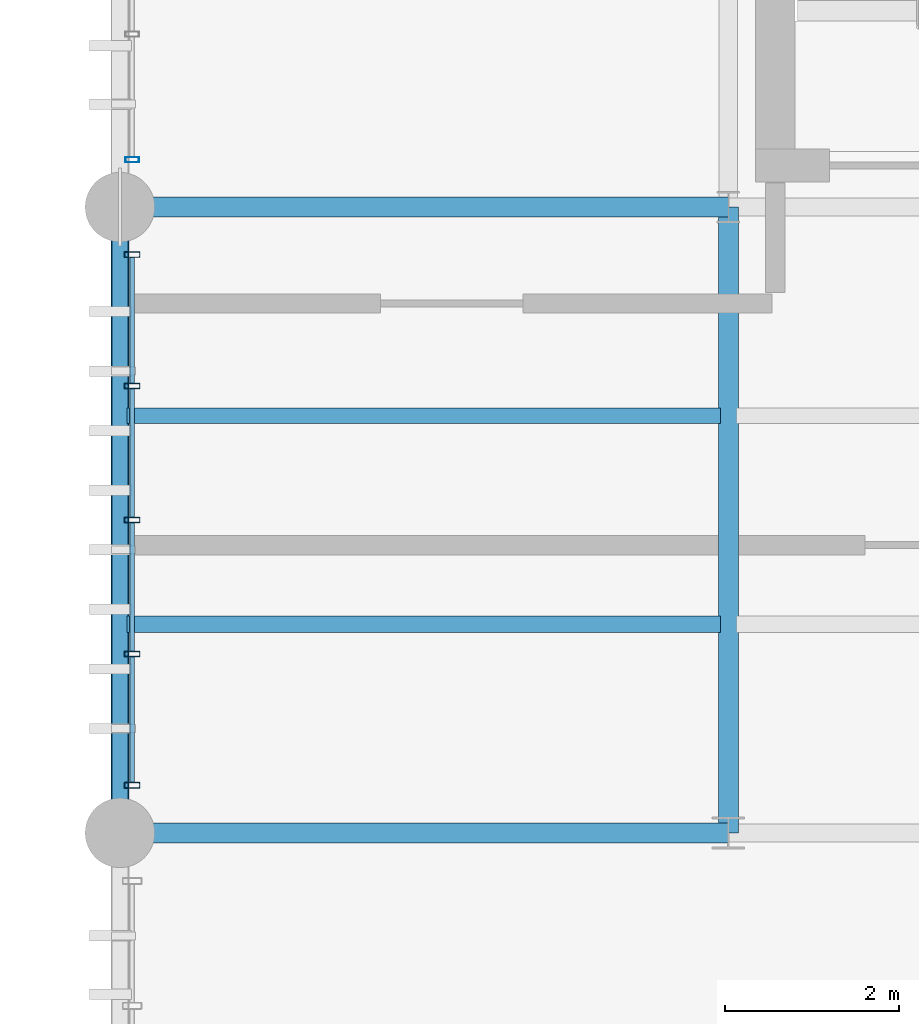
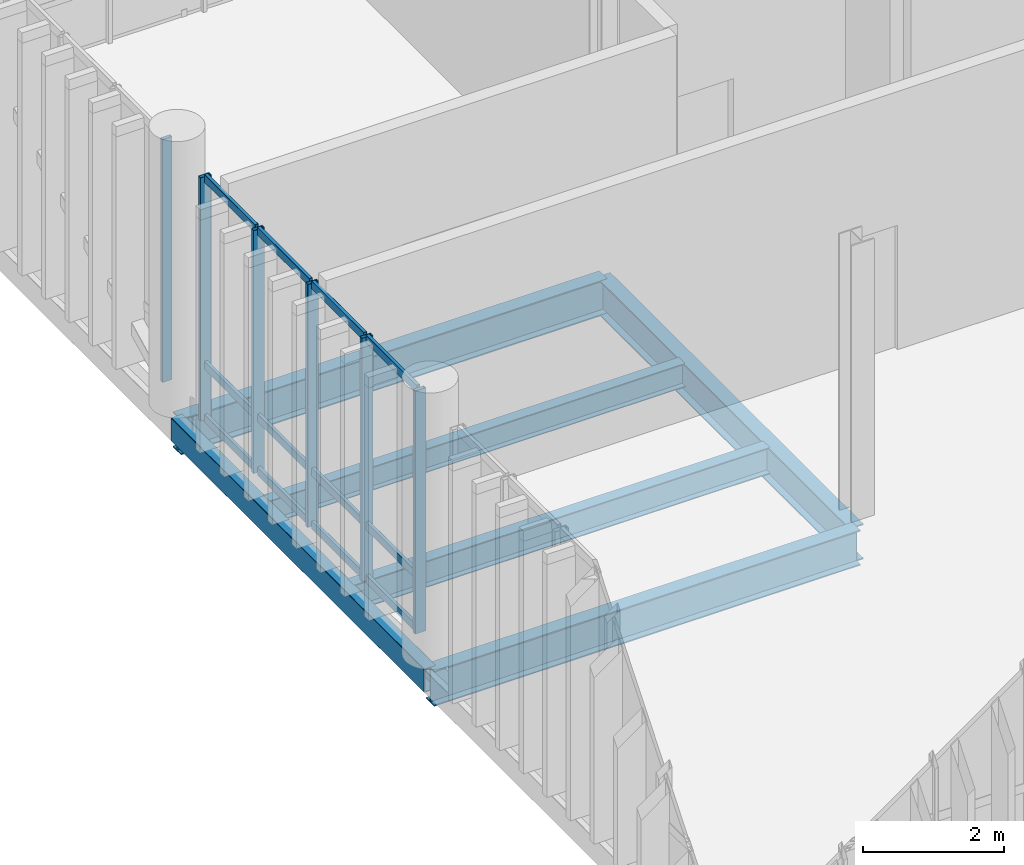
# One storey, part 20 of 94: 18 members, 6 beams, 2 elements without a shape of their own.
"""IFC4 building model written with IfcOpenShell, lengths in metres."""

from ifc_helpers import new_model, si_unit, direction, frame, origin_with_axes, origin_2d_with_axis, place, context, subcontext, project, spatial, hollow_rectangle, i_section, extrude, material, material_profile, profile_set, type_object, element, aggregate, save


model = new_model("IFC4")

# Units and contexts
model_context = context("Model", 3, precision=1e-05, world=origin_with_axes(), true_north=direction((0.0, 1.0)))
body_context = subcontext(model_context, "Body", "Model", "MODEL_VIEW")
ifc_project = project(units=[si_unit("LENGTHUNIT", "METRE"), si_unit("AREAUNIT", "SQUARE_METRE"), si_unit("VOLUMEUNIT", "CUBIC_METRE"), si_unit("PLANEANGLEUNIT", "RADIAN"), si_unit("MASSUNIT", "GRAM", prefix="KILO"), si_unit("THERMODYNAMICTEMPERATUREUNIT", "KELVIN")], contexts=[model_context])

# Site, building, storey
site_placement = place(None, origin_with_axes())
site = spatial("IfcSite", under=ifc_project, at=site_placement, CompositionType="ELEMENT")
building_placement = place(site_placement, origin_with_axes())
building = spatial("IfcBuilding", under=site, at=building_placement, Name="Montbau Bow Law Courts", CompositionType="ELEMENT")
storey_placement = place(building_placement, frame((0.0, 0.0, 15.6), z_axis=(0.0, 0.0, 1.0), x_axis=(1.0, 0.0, 0.0)))
storey = spatial("IfcBuildingStorey", under=building, at=storey_placement, Name="L03", CompositionType="ELEMENT", Elevation=15.6)

# Beams
ifc_material_1 = material(Name="Steel CSA G40.21 Grade 350W (350 MPa)", Category="steel")
ifc_material_profile_1 = material_profile(ifc_material_1, i_section(OverallWidth=0.229, OverallDepth=0.612, WebThickness=0.0119, FlangeThickness=0.0196, at=origin_2d_with_axis()), Name="W610X125", Category="Main", Priority=0)
ifc_profile_set_1 = profile_set([ifc_material_profile_1], Name="Steel CSA G40.21 Grade 350W (350 MPa)")
beam_type_1 = type_object("IfcBeamType", Name="B-FLR-05", PredefinedType="BEAM", material=ifc_profile_set_1)
for number, where, z_axis, x_axis, name in (
    (1, (6.8, 39.0, 15.054), (1.0, 0.0, 0.0), (0.0, 1.0, 0.0), "BM-L03-S0586:bm2_0589"),
    (2, (6.8, 46.2, 15.054), (1.0, 0.0, 0.0), (0.0, 1.0, 0.0), "BM-L03-S0591:bm2_0594"),
):
    element("IfcBeam", number, at=place(None, frame(where, z_axis=z_axis, x_axis=x_axis)), inside=storey, type_object=beam_type_1, Name=name, PredefinedType="BEAM", context=body_context, shape_type="SweptSolid", body=[
        extrude(i_section(OverallWidth=0.229, OverallDepth=0.612, WebThickness=0.0119, FlangeThickness=0.0196, at=origin_2d_with_axis()), origin_with_axes(), (0.0, 0.0, 1.0), 7.0),
    ])
beam_1_placement = place(None, frame((13.8, 39.0, 15.054), z_axis=(0.0, 1.0, 0.0), x_axis=(-1.0, 0.0, 0.0)))
element("IfcBeam", 3, at=beam_1_placement, inside=storey, type_object=beam_type_1, Name="BM-L03-S0604:bm2_0607", PredefinedType="BEAM", context=body_context, shape_type="SweptSolid", body=[
    extrude(i_section(OverallWidth=0.229, OverallDepth=0.612, WebThickness=0.0119, FlangeThickness=0.0196, at=origin_2d_with_axis()), origin_with_axes(), (0.0, 0.0, 1.0), 7.2),
])
ifc_material_profile_2 = material_profile(ifc_material_1, i_section(OverallWidth=0.191, OverallDepth=0.46, WebThickness=0.0099, FlangeThickness=0.016, at=origin_2d_with_axis()), Name="W460X82", Category="Main", Priority=0)
ifc_profile_set_2 = profile_set([ifc_material_profile_2], Name="Steel CSA G40.21 Grade 350W (350 MPa)")
beam_type_2 = type_object("IfcBeamType", Name="B-JST-01", PredefinedType="JOIST", material=ifc_profile_set_2)
beam_2_placement = place(None, frame((6.88, 41.4, 15.13), z_axis=(1.0, 0.0, 0.0), x_axis=(0.0, 1.0, 0.0)))
element("IfcBeam", 4, at=beam_2_placement, inside=storey, type_object=beam_type_2, Name="JST-L03-S0284:jst2_0284", PredefinedType="JOIST", context=body_context, shape_type="SweptSolid", body=[
    extrude(i_section(OverallWidth=0.191, OverallDepth=0.46, WebThickness=0.0099, FlangeThickness=0.016, at=origin_2d_with_axis()), origin_with_axes(), (0.0, 0.0, 1.0), 6.83),
])
ifc_material_profile_3 = material_profile(ifc_material_1, i_section(OverallWidth=0.179, OverallDepth=0.41, WebThickness=0.0088, FlangeThickness=0.0144, at=origin_2d_with_axis()), Name="W410X67", Category="Main", Priority=0)
ifc_profile_set_3 = profile_set([ifc_material_profile_3], Name="Steel CSA G40.21 Grade 350W (350 MPa)")
beam_type_3 = type_object("IfcBeamType", Name="B-JST-02", PredefinedType="JOIST", material=ifc_profile_set_3)
beam_3_placement = place(None, frame((6.88, 43.8, 15.155), z_axis=(1.0, 0.0, 0.0), x_axis=(0.0, 1.0, 0.0)))
element("IfcBeam", 5, at=beam_3_placement, inside=storey, type_object=beam_type_3, Name="JST-L03-S0285:jst2_0285", PredefinedType="JOIST", context=body_context, shape_type="SweptSolid", body=[
    extrude(i_section(OverallWidth=0.179, OverallDepth=0.41, WebThickness=0.0088, FlangeThickness=0.0144, at=origin_2d_with_axis()), origin_with_axes(), (0.0, 0.0, 1.0), 6.83),
])
ifc_material_2 = material(Name="Steel CSA G40.21 Grade 350WT (350 MPa)", Category="steel")
ifc_material_profile_4 = material_profile(ifc_material_2, hollow_rectangle(XDim=0.203, YDim=0.406, WallThickness=0.0127, InnerFilletRadius=0.0254, OuterFilletRadius=0.0127, at=origin_2d_with_axis()), Name="HSS406X203X13", Category="Main", Priority=0)
ifc_profile_set_4 = profile_set([ifc_material_profile_4], Name="Steel CSA G40.21 Grade 350WT (350 MPa)")
beam_type_4 = type_object("IfcBeamType", Name="B-SPN-01", PredefinedType="SPANDREL", material=ifc_profile_set_4)
beam_4_placement = place(None, frame((6.8, 39.0, 15.157), z_axis=(0.0, 1.0, 0.0), x_axis=(-1.0, 0.0, 0.0)))
element("IfcBeam", 6, at=beam_4_placement, inside=storey, type_object=beam_type_4, Name="SPN-L03-S0602:bm2_0605", PredefinedType="SPANDREL", context=body_context, shape_type="SweptSolid", body=[
    extrude(hollow_rectangle(XDim=0.203, YDim=0.406, WallThickness=0.0127, InnerFilletRadius=0.0254, OuterFilletRadius=0.0127, at=origin_2d_with_axis()), origin_with_axes(), (0.0, 0.0, 1.0), 7.2),
])

# Curtain wall, members
ifc_material_3 = material(Name="Thermally Broken Extruded Aluminium AA 6063-T6", Category="aluminium")
curtain_wall_type = type_object("IfcCurtainWallType", Name="CW-TRC-01", PredefinedType="NOTDEFINED", material=ifc_material_3)
curtain_wall_1_placement = place(None, frame((6.94, 39.515, 15.6), z_axis=(0.0, 0.0, 1.0), x_axis=(1.0, 0.0, 0.0)))
curtain_wall_1 = element("IfcCurtainWall", 7, at=curtain_wall_1_placement, inside=storey, type_object=curtain_wall_type, Name="CW-L03-061:cw_0061", PredefinedType="NOTDEFINED")
ifc_material_profile_5 = material_profile(ifc_material_3, hollow_rectangle(XDim=0.065, YDim=0.18, WallThickness=0.005, InnerFilletRadius=0.01, OuterFilletRadius=0.005, at=origin_2d_with_axis()), Name="CWM-180X65", Category="Main", Priority=0)
ifc_profile_set_5 = profile_set([ifc_material_profile_5], Name="Thermally Broken Extruded Aluminium AA 6063-T6")
member_type_1 = type_object("IfcMemberType", Name="M-MUL-02", PredefinedType="MULLION", material=ifc_profile_set_5)
member_1_placement = place(None, frame((6.94, 39.548, 15.6), z_axis=(0.0, 0.0, 1.0), x_axis=(0.0, 1.0, 0.0)))
member_1 = element("IfcMember", 8, at=member_1_placement, type_object=member_type_1, Name="CW-L03-061-M01:cw_0061_M01", PredefinedType="MULLION", context=body_context, shape_type="SweptSolid", body=[
    extrude(hollow_rectangle(XDim=0.065, YDim=0.18, WallThickness=0.005, InnerFilletRadius=0.01, OuterFilletRadius=0.005, at=origin_2d_with_axis()), origin_with_axes(), (0.0, 0.0, 1.0), 4.22),
])
member_2_placement = place(None, frame((6.94, 41.058, 15.6), z_axis=(0.0, 0.0, 1.0), x_axis=(0.0, 1.0, 0.0)))
member_2 = element("IfcMember", 9, at=member_2_placement, type_object=member_type_1, Name="CW-L03-061-M02:cw_0061_M02", PredefinedType="MULLION", context=body_context, shape_type="SweptSolid", body=[
    extrude(hollow_rectangle(XDim=0.065, YDim=0.18, WallThickness=0.005, InnerFilletRadius=0.01, OuterFilletRadius=0.005, at=origin_2d_with_axis()), origin_with_axes(), (0.0, 0.0, 1.0), 4.22),
])
member_3_placement = place(None, frame((6.94, 42.6, 15.6), z_axis=(0.0, 0.0, 1.0), x_axis=(0.0, 1.0, 0.0)))
member_3 = element("IfcMember", 10, at=member_3_placement, type_object=member_type_1, Name="CW-L03-061-M03:cw_0061_M03", PredefinedType="MULLION", context=body_context, shape_type="SweptSolid", body=[
    extrude(hollow_rectangle(XDim=0.065, YDim=0.18, WallThickness=0.005, InnerFilletRadius=0.01, OuterFilletRadius=0.005, at=origin_2d_with_axis()), origin_with_axes(), (0.0, 0.0, 1.0), 4.22),
])
member_4_placement = place(None, frame((6.94, 44.143, 15.6), z_axis=(0.0, 0.0, 1.0), x_axis=(0.0, 1.0, 0.0)))
member_4 = element("IfcMember", 11, at=member_4_placement, type_object=member_type_1, Name="CW-L03-061-M04:cw_0061_M04", PredefinedType="MULLION", context=body_context, shape_type="SweptSolid", body=[
    extrude(hollow_rectangle(XDim=0.065, YDim=0.18, WallThickness=0.005, InnerFilletRadius=0.01, OuterFilletRadius=0.005, at=origin_2d_with_axis()), origin_with_axes(), (0.0, 0.0, 1.0), 4.22),
])
member_5_placement = place(None, frame((6.94, 45.653, 15.6), z_axis=(0.0, 0.0, 1.0), x_axis=(0.0, 1.0, 0.0)))
member_5 = element("IfcMember", 12, at=member_5_placement, type_object=member_type_1, Name="CW-L03-061-M05:cw_0061_M05", PredefinedType="MULLION", context=body_context, shape_type="SweptSolid", body=[
    extrude(hollow_rectangle(XDim=0.065, YDim=0.18, WallThickness=0.005, InnerFilletRadius=0.01, OuterFilletRadius=0.005, at=origin_2d_with_axis()), origin_with_axes(), (0.0, 0.0, 1.0), 4.22),
])

# Curtain wall, member
curtain_wall_2_placement = place(None, frame((6.94, 46.715, 15.6), z_axis=(0.0, 0.0, 1.0), x_axis=(1.0, 0.0, 0.0)))
curtain_wall_2 = element("IfcCurtainWall", 13, at=curtain_wall_2_placement, inside=storey, type_object=curtain_wall_type, Name="CW-L03-062:cw_0062", PredefinedType="NOTDEFINED")
ifc_material_profile_6 = material_profile(ifc_material_3, hollow_rectangle(XDim=0.06, YDim=0.16, WallThickness=0.004, InnerFilletRadius=0.008, OuterFilletRadius=0.004, at=origin_2d_with_axis()), Name="CWM-160X60", Category="Main", Priority=0)
ifc_profile_set_6 = profile_set([ifc_material_profile_6], Name="Thermally Broken Extruded Aluminium AA 6063-T6")
member_type_2 = type_object("IfcMemberType", Name="M-MUL-03", PredefinedType="MULLION", material=ifc_profile_set_6)
member_6_placement = place(None, frame((6.94, 46.745, 15.6), z_axis=(0.0, 0.0, 1.0), x_axis=(0.0, 1.0, 0.0)))
member_6 = element("IfcMember", 14, at=member_6_placement, type_object=member_type_2, Name="CW-L03-062-M01:cw_0062_M01", PredefinedType="MULLION", context=body_context, shape_type="SweptSolid", body=[
    extrude(hollow_rectangle(XDim=0.06, YDim=0.16, WallThickness=0.004, InnerFilletRadius=0.008, OuterFilletRadius=0.004, at=origin_2d_with_axis()), origin_with_axes(), (0.0, 0.0, 1.0), 4.22),
])
aggregate(curtain_wall_2, [member_6])

# Member
ifc_material_profile_7 = material_profile(ifc_material_3, hollow_rectangle(XDim=0.055, YDim=0.14, WallThickness=0.004, InnerFilletRadius=0.008, OuterFilletRadius=0.004, at=origin_2d_with_axis()), Name="CWT-140X55", Category="Main", Priority=0)
ifc_profile_set_7 = profile_set([ifc_material_profile_7], Name="Thermally Broken Extruded Aluminium AA 6063-T6")
member_type_3 = type_object("IfcMemberType", Name="M-TRN-02", PredefinedType="USERDEFINED", material=ifc_profile_set_7)
member_7_placement = place(None, frame((6.94, 39.583, 15.627), z_axis=(0.0, 1.0, 0.0), x_axis=(-1.0, 0.0, 0.0)))
member_7 = element("IfcMember", 15, at=member_7_placement, type_object=member_type_3, Name="CW-L03-061-T01-1:cw_0061_T01_1", ObjectType="TRANSOM", PredefinedType="USERDEFINED", context=body_context, shape_type="SweptSolid", body=[
    extrude(hollow_rectangle(XDim=0.055, YDim=0.14, WallThickness=0.004, InnerFilletRadius=0.008, OuterFilletRadius=0.004, at=origin_2d_with_axis()), origin_with_axes(), (0.0, 0.0, 1.0), 1.44),
])

member_8_placement = place(None, frame((6.94, 39.583, 16.55), z_axis=(0.0, 1.0, 0.0), x_axis=(-1.0, 0.0, 0.0)))
member_8 = element("IfcMember", 16, at=member_8_placement, type_object=member_type_3, Name="CW-L03-061-T01-2:cw_0061_T01_2", ObjectType="TRANSOM", PredefinedType="USERDEFINED", context=body_context, shape_type="SweptSolid", body=[
    extrude(hollow_rectangle(XDim=0.055, YDim=0.14, WallThickness=0.004, InnerFilletRadius=0.008, OuterFilletRadius=0.004, at=origin_2d_with_axis()), origin_with_axes(), (0.0, 0.0, 1.0), 1.44),
])

member_9_placement = place(None, frame((6.94, 39.583, 19.793), z_axis=(0.0, 1.0, 0.0), x_axis=(-1.0, 0.0, 0.0)))
member_9 = element("IfcMember", 17, at=member_9_placement, type_object=member_type_3, Name="CW-L03-061-T01-3:cw_0061_T01_3", ObjectType="TRANSOM", PredefinedType="USERDEFINED", context=body_context, shape_type="SweptSolid", body=[
    extrude(hollow_rectangle(XDim=0.055, YDim=0.14, WallThickness=0.004, InnerFilletRadius=0.008, OuterFilletRadius=0.004, at=origin_2d_with_axis()), origin_with_axes(), (0.0, 0.0, 1.0), 1.44),
])

member_10_placement = place(None, frame((6.94, 41.092, 15.627), z_axis=(0.0, 1.0, 0.0), x_axis=(-1.0, 0.0, 0.0)))
member_10 = element("IfcMember", 18, at=member_10_placement, type_object=member_type_3, Name="CW-L03-061-T02-1:cw_0061_T02_1", ObjectType="TRANSOM", PredefinedType="USERDEFINED", context=body_context, shape_type="SweptSolid", body=[
    extrude(hollow_rectangle(XDim=0.055, YDim=0.14, WallThickness=0.004, InnerFilletRadius=0.008, OuterFilletRadius=0.004, at=origin_2d_with_axis()), origin_with_axes(), (0.0, 0.0, 1.0), 1.473),
])

member_11_placement = place(None, frame((6.94, 41.092, 16.55), z_axis=(0.0, 1.0, 0.0), x_axis=(-1.0, 0.0, 0.0)))
member_11 = element("IfcMember", 19, at=member_11_placement, type_object=member_type_3, Name="CW-L03-061-T02-2:cw_0061_T02_2", ObjectType="TRANSOM", PredefinedType="USERDEFINED", context=body_context, shape_type="SweptSolid", body=[
    extrude(hollow_rectangle(XDim=0.055, YDim=0.14, WallThickness=0.004, InnerFilletRadius=0.008, OuterFilletRadius=0.004, at=origin_2d_with_axis()), origin_with_axes(), (0.0, 0.0, 1.0), 1.473),
])

member_12_placement = place(None, frame((6.94, 41.092, 19.793), z_axis=(0.0, 1.0, 0.0), x_axis=(-1.0, 0.0, 0.0)))
member_12 = element("IfcMember", 20, at=member_12_placement, type_object=member_type_3, Name="CW-L03-061-T02-3:cw_0061_T02_3", ObjectType="TRANSOM", PredefinedType="USERDEFINED", context=body_context, shape_type="SweptSolid", body=[
    extrude(hollow_rectangle(XDim=0.055, YDim=0.14, WallThickness=0.004, InnerFilletRadius=0.008, OuterFilletRadius=0.004, at=origin_2d_with_axis()), origin_with_axes(), (0.0, 0.0, 1.0), 1.473),
])

member_13_placement = place(None, frame((6.94, 42.634, 15.627), z_axis=(0.0, 1.0, 0.0), x_axis=(-1.0, 0.0, 0.0)))
member_13 = element("IfcMember", 21, at=member_13_placement, type_object=member_type_3, Name="CW-L03-061-T03-1:cw_0061_T03_1", ObjectType="TRANSOM", PredefinedType="USERDEFINED", context=body_context, shape_type="SweptSolid", body=[
    extrude(hollow_rectangle(XDim=0.055, YDim=0.14, WallThickness=0.004, InnerFilletRadius=0.008, OuterFilletRadius=0.004, at=origin_2d_with_axis()), origin_with_axes(), (0.0, 0.0, 1.0), 1.475),
])

member_14_placement = place(None, frame((6.94, 42.634, 16.55), z_axis=(0.0, 1.0, 0.0), x_axis=(-1.0, 0.0, 0.0)))
member_14 = element("IfcMember", 22, at=member_14_placement, type_object=member_type_3, Name="CW-L03-061-T03-2:cw_0061_T03_2", ObjectType="TRANSOM", PredefinedType="USERDEFINED", context=body_context, shape_type="SweptSolid", body=[
    extrude(hollow_rectangle(XDim=0.055, YDim=0.14, WallThickness=0.004, InnerFilletRadius=0.008, OuterFilletRadius=0.004, at=origin_2d_with_axis()), origin_with_axes(), (0.0, 0.0, 1.0), 1.475),
])

member_15_placement = place(None, frame((6.94, 42.634, 19.793), z_axis=(0.0, 1.0, 0.0), x_axis=(-1.0, 0.0, 0.0)))
member_15 = element("IfcMember", 23, at=member_15_placement, type_object=member_type_3, Name="CW-L03-061-T03-3:cw_0061_T03_3", ObjectType="TRANSOM", PredefinedType="USERDEFINED", context=body_context, shape_type="SweptSolid", body=[
    extrude(hollow_rectangle(XDim=0.055, YDim=0.14, WallThickness=0.004, InnerFilletRadius=0.008, OuterFilletRadius=0.004, at=origin_2d_with_axis()), origin_with_axes(), (0.0, 0.0, 1.0), 1.475),
])

member_16_placement = place(None, frame((6.94, 44.177, 15.627), z_axis=(0.0, 1.0, 0.0), x_axis=(-1.0, 0.0, 0.0)))
member_16 = element("IfcMember", 24, at=member_16_placement, type_object=member_type_3, Name="CW-L03-061-T04-1:cw_0061_T04_1", ObjectType="TRANSOM", PredefinedType="USERDEFINED", context=body_context, shape_type="SweptSolid", body=[
    extrude(hollow_rectangle(XDim=0.055, YDim=0.14, WallThickness=0.004, InnerFilletRadius=0.008, OuterFilletRadius=0.004, at=origin_2d_with_axis()), origin_with_axes(), (0.0, 0.0, 1.0), 1.442),
])

member_17_placement = place(None, frame((6.94, 44.177, 16.55), z_axis=(0.0, 1.0, 0.0), x_axis=(-1.0, 0.0, 0.0)))
member_17 = element("IfcMember", 25, at=member_17_placement, type_object=member_type_3, Name="CW-L03-061-T04-2:cw_0061_T04_2", ObjectType="TRANSOM", PredefinedType="USERDEFINED", context=body_context, shape_type="SweptSolid", body=[
    extrude(hollow_rectangle(XDim=0.055, YDim=0.14, WallThickness=0.004, InnerFilletRadius=0.008, OuterFilletRadius=0.004, at=origin_2d_with_axis()), origin_with_axes(), (0.0, 0.0, 1.0), 1.442),
])

member_18_placement = place(None, frame((6.94, 44.177, 19.793), z_axis=(0.0, 1.0, 0.0), x_axis=(-1.0, 0.0, 0.0)))
member_18 = element("IfcMember", 26, at=member_18_placement, type_object=member_type_3, Name="CW-L03-061-T04-3:cw_0061_T04_3", ObjectType="TRANSOM", PredefinedType="USERDEFINED", context=body_context, shape_type="SweptSolid", body=[
    extrude(hollow_rectangle(XDim=0.055, YDim=0.14, WallThickness=0.004, InnerFilletRadius=0.008, OuterFilletRadius=0.004, at=origin_2d_with_axis()), origin_with_axes(), (0.0, 0.0, 1.0), 1.442),
])

aggregate(curtain_wall_1, [member_1, member_2, member_3, member_4, member_5, member_7, member_8, member_9, member_10, member_11, member_12, member_13, member_14, member_15, member_16, member_17, member_18])

save(model, "model.ifc")
